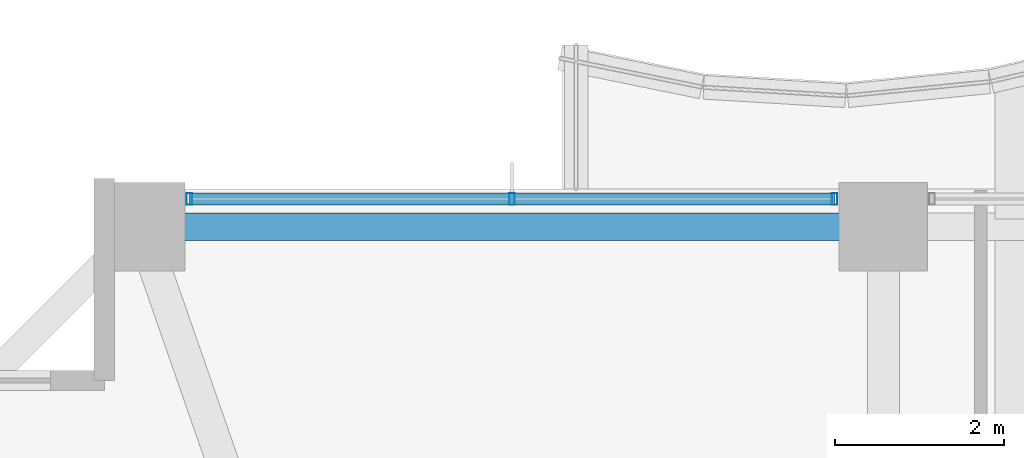
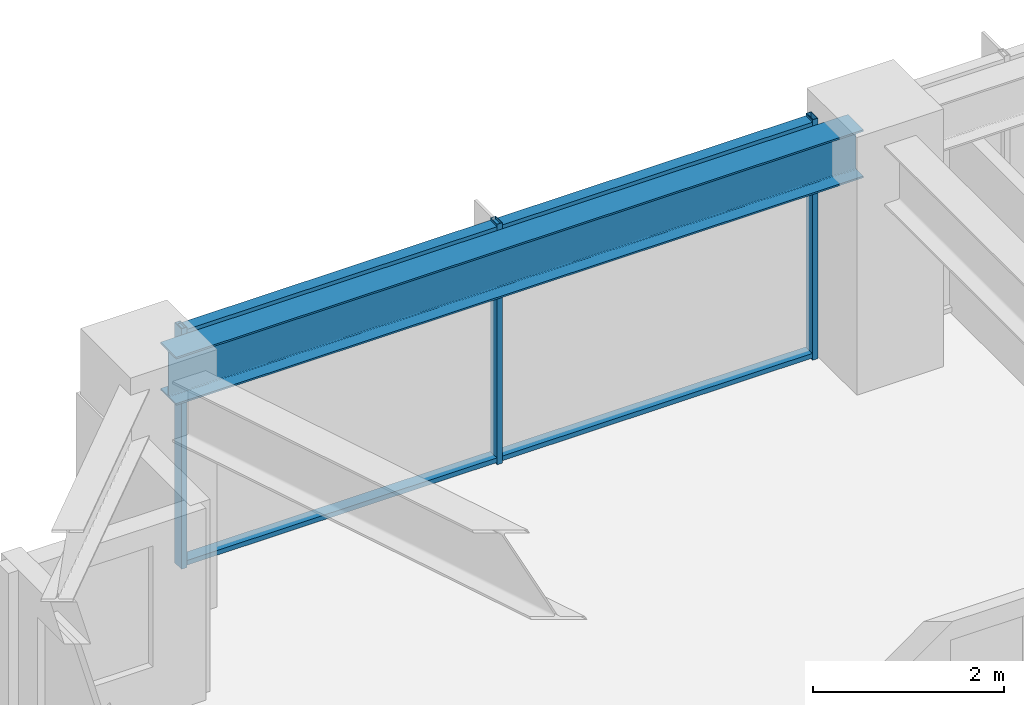
# One storey, part 19 of 38: 5 members, 1 beam, 1 element without a shape of its own.
"""IFC4 building model written with IfcOpenShell, lengths in metres."""

from ifc_helpers import new_model, si_unit, direction, frame, origin, origin_2d, place, context, subcontext, project, spatial, hollow_rectangle, i_section, extrude, material, material_profile, profile_set, type_object, element, aggregate, save


model = new_model("IFC4")

# Units and contexts
model_context = context("Model", 3, precision=1e-05, world=origin(), true_north=direction((0.0, 1.0)))
body_context = subcontext(model_context, "Body", "Model", "MODEL_VIEW")
ifc_project = project(units=[si_unit("LENGTHUNIT", "METRE"), si_unit("AREAUNIT", "SQUARE_METRE"), si_unit("VOLUMEUNIT", "CUBIC_METRE"), si_unit("PLANEANGLEUNIT", "RADIAN"), si_unit("MASSUNIT", "GRAM", prefix="KILO")], contexts=[model_context])

# Site, building, storey
site_placement = place(None, origin())
site = spatial("IfcSite", under=ifc_project, at=site_placement, CompositionType="ELEMENT")
building_placement = place(site_placement, origin())
building = spatial("IfcBuilding", under=site, at=building_placement, Name="Kolvaren Belvedere", CompositionType="ELEMENT")
storey_placement = place(building_placement, frame((0.0, 0.0, 98.60009765625)))
storey = spatial("IfcBuildingStorey", under=building, at=storey_placement, Name="L28", CompositionType="ELEMENT", Elevation=98.60009765625)

# Beam
ifc_material_1 = material(Name="Structural steel ASTM A992 Grade 50", Category="steel")
ifc_material_profile_1 = material_profile(ifc_material_1, i_section(OverallWidth=0.324951171875, OverallDepth=0.615966796875, WebThickness=0.013916015625, FlangeThickness=0.021484375, FilletRadius=0.02001953125, at=origin_2d()), Name="W24X117")
ifc_profile_set_1 = profile_set([ifc_material_profile_1], Name="Structural steel ASTM A992 Grade 50")
beam_type = type_object("IfcBeamType", Name="BM-SPAN-W24X117", PredefinedType="SPANDREL", material=ifc_profile_set_1)
beam_placement = place(storey_placement, frame((-4.836181640625, 19.949951171875, 2.77197265625), z_axis=(-1.0, 0.0, 0.0), x_axis=(0.0, -1.0, 0.0)))
element("IfcBeam", 1, at=beam_placement, inside=storey, type_object=beam_type, Name="L28 Perimeter Spandrel N2-N1", PredefinedType="SPANDREL", context=body_context, shape_type="SweptSolid", body=[
    extrude(i_section(OverallWidth=0.324951171875, OverallDepth=0.615966796875, WebThickness=0.013916015625, FlangeThickness=0.021484375, FilletRadius=0.02001953125, at=origin_2d()), origin(), (0.0, 0.0, 1.0), 8.32763671875),
])

# Curtain wall, members
ifc_material_2 = material(Name="Anodised pale-metal aluminium AA 6063-T6", Category="aluminium")
curtain_wall_type = type_object("IfcCurtainWallType", Name="CW-Z2-MID", PredefinedType="NOTDEFINED", material=ifc_material_2)
curtain_wall_placement = place(storey_placement, origin())
curtain_wall = element("IfcCurtainWall", 2, at=curtain_wall_placement, inside=storey, type_object=curtain_wall_type, Name="L28 Unitised Curtain Wall FCW-L28-N1-B1", PredefinedType="NOTDEFINED")
ifc_material_3 = material(Name="Anodised pale-metal aluminium AA 6063-T6", Category="aluminium")
ifc_material_profile_2 = material_profile(ifc_material_3, hollow_rectangle(XDim=0.06494140625, YDim=0.139892578125, WallThickness=0.00390625, at=origin_2d()), Name="ALU-MUL-140X65")
ifc_profile_set_2 = profile_set([ifc_material_profile_2], Name="Anodised pale-metal aluminium AA 6063-T6")
member_type_1 = type_object("IfcMemberType", Name="CW-MUL-140", PredefinedType="MULLION", material=ifc_profile_set_2)
member_1_placement = place(storey_placement, frame((-12.822509765625, 20.280029296875, 0.0), z_axis=(0.0, 0.0, 1.0), x_axis=(1.0, 0.0, 0.0)))
member_1 = element("IfcMember", 3, at=member_1_placement, type_object=member_type_1, Name="FCW-L28-N1-B1 Unitised Mullion 1", PredefinedType="MULLION", context=body_context, shape_type="SweptSolid", body=[
    extrude(hollow_rectangle(XDim=0.06494140625, YDim=0.139892578125, WallThickness=0.00390625, at=origin_2d()), origin(), (0.0, 0.0, 1.0), 3.079833984375),
])
member_2_placement = place(storey_placement, frame((-9.0, 20.280029296875, 0.0), z_axis=(0.0, 0.0, 1.0), x_axis=(1.0, 0.0, 0.0)))
member_2 = element("IfcMember", 4, at=member_2_placement, type_object=member_type_1, Name="FCW-L28-N1-B1 Unitised Mullion 2", PredefinedType="MULLION", context=body_context, shape_type="SweptSolid", body=[
    extrude(hollow_rectangle(XDim=0.06494140625, YDim=0.139892578125, WallThickness=0.00390625, at=origin_2d()), origin(), (0.0, 0.0, 1.0), 3.079833984375),
])
member_3_placement = place(storey_placement, frame((-5.177490234375, 20.280029296875, 0.0), z_axis=(0.0, 0.0, 1.0), x_axis=(1.0, 0.0, 0.0)))
member_3 = element("IfcMember", 5, at=member_3_placement, type_object=member_type_1, Name="FCW-L28-N1-B1 Unitised Mullion 3", PredefinedType="MULLION", context=body_context, shape_type="SweptSolid", body=[
    extrude(hollow_rectangle(XDim=0.06494140625, YDim=0.139892578125, WallThickness=0.00390625, at=origin_2d()), origin(), (0.0, 0.0, 1.0), 3.079833984375),
])
ifc_material_4 = material(Name="Anodised pale-metal aluminium AA 6063-T6", Category="aluminium")
ifc_material_profile_3 = material_profile(ifc_material_4, hollow_rectangle(XDim=0.06005859375, YDim=0.139892578125, WallThickness=0.00390625, at=origin_2d()), Name="ALU-TRN-140X60")
ifc_profile_set_3 = profile_set([ifc_material_profile_3], Name="Anodised pale-metal aluminium AA 6063-T6")
member_type_2 = type_object("IfcMemberType", Name="CW-TRN-140", PredefinedType="USERDEFINED", material=ifc_profile_set_3)
member_4_placement = place(storey_placement, frame((-12.822509765625, 20.280029296875, 0.059814453125), z_axis=(1.0, 0.0, 0.0), x_axis=(0.0, 0.0, 1.0)))
member_4 = element("IfcMember", 6, at=member_4_placement, type_object=member_type_2, Name="FCW-L28-N1-B1 Sill Transom", ObjectType="TRANSOM", PredefinedType="USERDEFINED", context=body_context, shape_type="SweptSolid", body=[
    extrude(hollow_rectangle(XDim=0.06005859375, YDim=0.139892578125, WallThickness=0.00390625, at=origin_2d()), origin(), (0.0, 0.0, 1.0), 7.64501953125),
])
member_5_placement = place(storey_placement, frame((-12.822509765625, 20.280029296875, 3.02001953125), z_axis=(1.0, 0.0, 0.0), x_axis=(0.0, 0.0, 1.0)))
member_5 = element("IfcMember", 7, at=member_5_placement, type_object=member_type_2, Name="FCW-L28-N1-B1 Head Transom", ObjectType="TRANSOM", PredefinedType="USERDEFINED", context=body_context, shape_type="SweptSolid", body=[
    extrude(hollow_rectangle(XDim=0.06005859375, YDim=0.139892578125, WallThickness=0.00390625, at=origin_2d()), origin(), (0.0, 0.0, 1.0), 7.64501953125),
])
aggregate(curtain_wall, [member_1, member_2, member_3, member_4, member_5])

save(model, "model.ifc")
